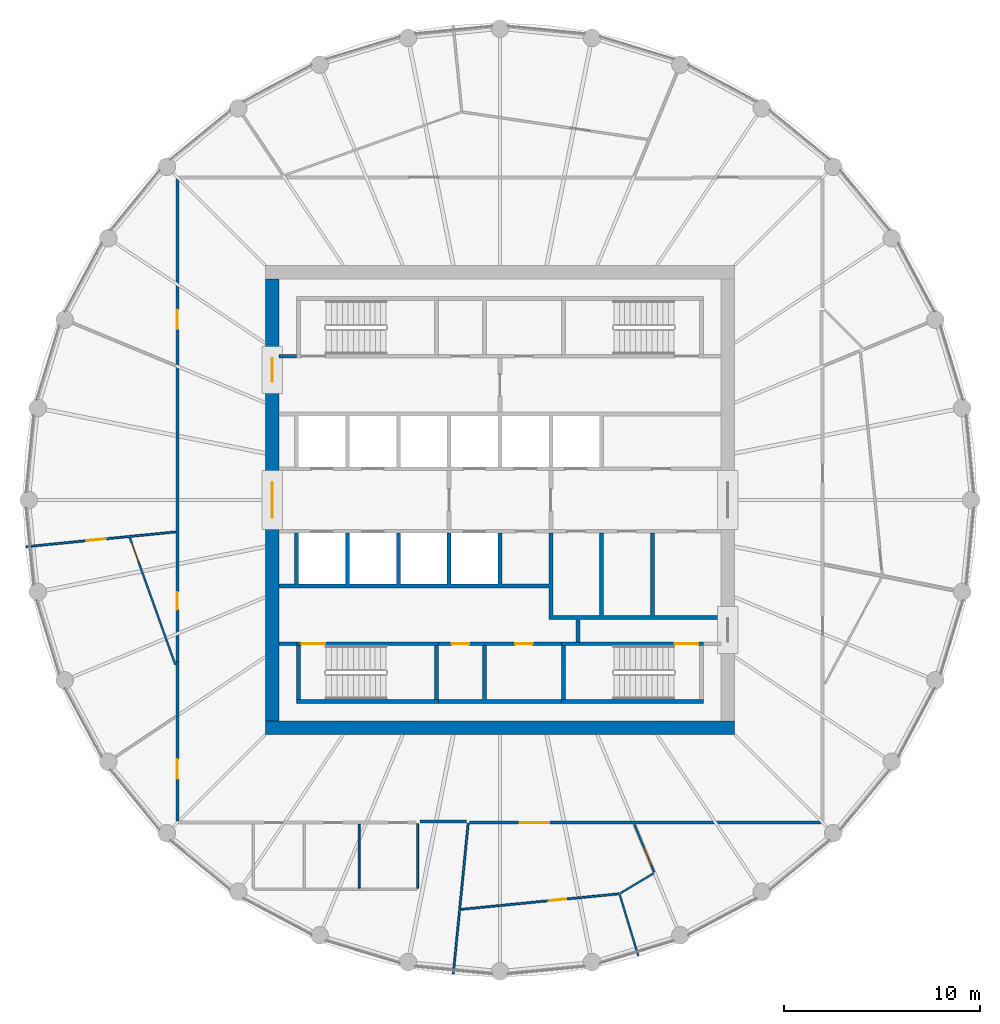
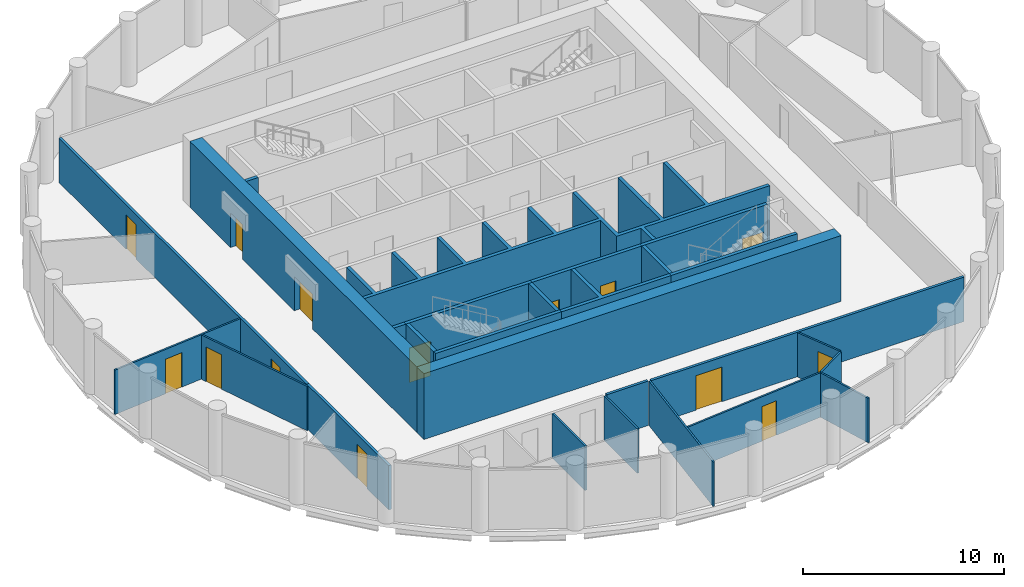
# One storey, part 4 of 8: 27 walls, 14 doors, 14 openings.
"""IFC4 building model written with IfcOpenShell, lengths in metres."""

from ifc_helpers import new_model, si_unit, direction, frame, frame_2d, origin, place, context, subcontext, project, spatial, polyline, rectangle, outline, extrude, material, layer, layer_set, type_object, element, fill, save


model = new_model("IFC4")

# Units and contexts
model_context = context("Model", 3, precision=1e-05, world=origin(), true_north=direction((0.0, 1.0)))
body_context = subcontext(model_context, "Body", "Model", "MODEL_VIEW")
ifc_project = project(units=[si_unit("LENGTHUNIT", "METRE"), si_unit("AREAUNIT", "SQUARE_METRE"), si_unit("VOLUMEUNIT", "CUBIC_METRE"), si_unit("PLANEANGLEUNIT", "RADIAN"), si_unit("MASSUNIT", "GRAM", prefix="KILO")], contexts=[model_context])

# Site, building, storey
site_placement = place(None, origin())
site = spatial("IfcSite", under=ifc_project, at=site_placement, CompositionType="ELEMENT")
building_placement = place(site_placement, origin())
building = spatial("IfcBuilding", under=site, at=building_placement, Name="Corvane Civic Tower", CompositionType="ELEMENT")
storey_placement = place(building_placement, frame((0.0, 0.0, 299.0)))
storey = spatial("IfcBuildingStorey", under=building, at=storey_placement, Name="L71", CompositionType="ELEMENT", Elevation=299.0)

# Wall
ifc_material_1 = material(Name="Concrete C40/50", Category="concrete")
ifc_layer_1 = layer(ifc_material_1, 0.699951171875)
ifc_layer_set_1 = layer_set([ifc_layer_1], Name="Concrete C40/50")
wall_type_1 = type_object("IfcWallType", Name="CORE WALL 700 C40/50", PredefinedType="SHEAR", material=ifc_layer_set_1)
wall_1_placement = place(storey_placement, frame((-12.0, -11.64990234375, 0.0), z_axis=(0.0, 0.0, 1.0), x_axis=(1.0, 0.0, 0.0)))
element("IfcWall", 1, at=wall_1_placement, inside=storey, type_object=wall_type_1, Name="W-L71-core-S", PredefinedType="SHEAR", context=body_context, shape_type="SweptSolid", body=[
    extrude(rectangle(XDim=24.0, YDim=0.699951171875, at=frame_2d((12.0, 0.0))), origin(), (0.0, 0.0, 1.0), 4.0),
])

# Wall, openings, doors
wall_2_placement = place(storey_placement, frame((-11.64990234375, -11.300048828125, 0.0), z_axis=(0.0, 0.0, 1.0), x_axis=(0.0, 1.0, 0.0)))
wall_2 = element("IfcWall", 2, at=wall_2_placement, inside=storey, type_object=wall_type_1, Name="W-L71-core-W", PredefinedType="SHEAR", context=body_context, shape_type="SweptSolid", body=[
    extrude(rectangle(XDim=22.60009765625, YDim=0.699951171875, at=frame_2d((11.300048828125, 0.0))), origin(), (0.0, 0.0, 1.0), 4.0),
])
opening_1_placement = place(wall_2_placement, frame((10.39990234375, 0.0, 0.0)))
opening_1 = element("IfcOpeningElement", 3, at=opening_1_placement, cuts=wall_2, Name="Opening L71.C17", PredefinedType="OPENING", context=body_context, shape_type="SweptSolid", body=[
    extrude(rectangle(XDim=1.800048828125, YDim=2.10009765625, at=frame_2d((0.89990234375, 1.050048828125))), frame((0.0, 0.35986328125, 0.0), z_axis=(0.0, -1.0, 0.0), x_axis=(1.0, 0.0, 0.0)), (0.0, 0.0, 1.0), 0.719970703125),
])
opening_2_placement = place(wall_2_placement, frame((17.35009765625, 0.0, 0.0)))
opening_2 = element("IfcOpeningElement", 4, at=opening_2_placement, cuts=wall_2, Name="Opening L71.C19", PredefinedType="OPENING", context=body_context, shape_type="SweptSolid", body=[
    extrude(rectangle(XDim=1.199951171875, YDim=2.10009765625, at=frame_2d((0.60009765625, 1.050048828125))), frame((0.0, 0.35986328125, 0.0), z_axis=(0.0, -1.0, 0.0), x_axis=(1.0, 0.0, 0.0)), (0.0, 0.0, 1.0), 0.719970703125),
])
ifc_material_2 = material(Name="Steel fire door leaf", Category="steel")
door_type_1 = type_object("IfcDoorType", Name="CR-DOOR-CORE-1800", OperationType="DOUBLE_DOOR_SINGLE_SWING", PredefinedType="DOOR", material=ifc_material_2)
door_1_placement = place(opening_1_placement, origin())
door_1 = element("IfcDoor", 5, at=door_1_placement, inside=storey, type_object=door_type_1, Name="L71 door", OperationType="DOUBLE_DOOR_SINGLE_SWING", OverallHeight=2.10009765625, OverallWidth=1.800048828125, PredefinedType="DOOR", context=body_context, shape_type="SweptSolid", body=[
    extrude(rectangle(XDim=1.800048828125, YDim=2.10009765625, at=frame_2d((0.89990234375, 1.050048828125))), frame((0.0, 0.02490234375, 0.0), z_axis=(0.0, -1.0, 0.0), x_axis=(1.0, 0.0, 0.0)), (0.0, 0.0, 1.0), 0.050048828125),
])
fill(opening_1, door_1)
door_2_placement = place(opening_2_placement, origin())
door_2 = element("IfcDoor", 6, at=door_2_placement, inside=storey, type_object=door_type_1, Name="L71 door", OperationType="DOUBLE_DOOR_SINGLE_SWING", OverallHeight=2.10009765625, OverallWidth=1.199951171875, PredefinedType="DOOR", context=body_context, shape_type="SweptSolid", body=[
    extrude(rectangle(XDim=1.199951171875, YDim=2.10009765625, at=frame_2d((0.60009765625, 1.050048828125))), frame((0.0, 0.02490234375, 0.0), z_axis=(0.0, -1.0, 0.0), x_axis=(1.0, 0.0, 0.0)), (0.0, 0.0, 1.0), 0.050048828125),
])
fill(opening_2, door_2)

ifc_material_3 = material(Name="Concrete C30/37", Category="concrete")
ifc_layer_2 = layer(ifc_material_3, 0.199951171875)
ifc_layer_set_2 = layer_set([ifc_layer_2], Name="Concrete C30/37")
wall_type_2 = type_object("IfcWallType", Name="CR-WALL-200", PredefinedType="PARTITIONING", material=ifc_layer_set_2)
wall_3_placement = place(storey_placement, frame((-3.14990234375, -7.35009765625, 0.0), z_axis=(0.0, 0.0, 1.0), x_axis=(1.0, 0.0, 0.0)))
wall_3 = element("IfcWall", 7, at=wall_3_placement, inside=storey, type_object=wall_type_2, Name="L71 core partition wall", PredefinedType="PARTITIONING", context=body_context, shape_type="SweptSolid", body=[
    extrude(rectangle(XDim=6.2998046875, YDim=0.199951171875, at=frame_2d((3.14990234375, 0.0))), origin(), (0.0, 0.0, 1.0), 3.699951171875),
])
opening_3_placement = place(wall_3_placement, frame((0.675048828125, 0.0, 0.0)))
opening_3 = element("IfcOpeningElement", 8, at=opening_3_placement, cuts=wall_3, Name="Opening L71.C08", PredefinedType="OPENING", context=body_context, shape_type="SweptSolid", body=[
    extrude(rectangle(XDim=0.89990234375, YDim=2.10009765625, at=frame_2d((0.449951171875, 1.050048828125))), frame((0.0, 0.10986328125, 0.0), z_axis=(0.0, -1.0, 0.0), x_axis=(1.0, 0.0, 0.0)), (0.0, 0.0, 1.0), 0.219970703125),
])
opening_4_placement = place(wall_3_placement, frame((3.925048828125, 0.0, 0.0)))
opening_4 = element("IfcOpeningElement", 9, at=opening_4_placement, cuts=wall_3, Name="Opening L71.C09", PredefinedType="OPENING", context=body_context, shape_type="SweptSolid", body=[
    extrude(rectangle(XDim=0.89990234375, YDim=2.10009765625, at=frame_2d((0.449951171875, 1.050048828125))), frame((0.0, 0.10986328125, 0.0), z_axis=(0.0, -1.0, 0.0), x_axis=(1.0, 0.0, 0.0)), (0.0, 0.0, 1.0), 0.219970703125),
])
ifc_material_4 = material(Name="Steel fire door leaf", Category="steel")
door_type_2 = type_object("IfcDoorType", Name="CR-DOOR-900", OperationType="SINGLE_SWING_LEFT", PredefinedType="DOOR", material=ifc_material_4)
door_3_placement = place(opening_3_placement, origin())
door_3 = element("IfcDoor", 10, at=door_3_placement, inside=storey, type_object=door_type_2, Name="L71 door", OperationType="SINGLE_SWING_LEFT", OverallHeight=2.10009765625, OverallWidth=0.89990234375, PredefinedType="DOOR", context=body_context, shape_type="SweptSolid", body=[
    extrude(rectangle(XDim=0.89990234375, YDim=2.10009765625, at=frame_2d((0.449951171875, 1.050048828125))), frame((0.0, 0.02490234375, 0.0), z_axis=(0.0, -1.0, 0.0), x_axis=(1.0, 0.0, 0.0)), (0.0, 0.0, 1.0), 0.050048828125),
])
fill(opening_3, door_3)
door_4_placement = place(opening_4_placement, origin())
door_4 = element("IfcDoor", 11, at=door_4_placement, inside=storey, type_object=door_type_2, Name="L71 door", OperationType="SINGLE_SWING_LEFT", OverallHeight=2.10009765625, OverallWidth=0.89990234375, PredefinedType="DOOR", context=body_context, shape_type="SweptSolid", body=[
    extrude(rectangle(XDim=0.89990234375, YDim=2.10009765625, at=frame_2d((0.449951171875, 1.050048828125))), frame((0.0, 0.02490234375, 0.0), z_axis=(0.0, -1.0, 0.0), x_axis=(1.0, 0.0, 0.0)), (0.0, 0.0, 1.0), 0.050048828125),
])
fill(opening_4, door_4)

# Walls
wall_4_placement = place(storey_placement, origin())
element("IfcWall", 12, at=wall_4_placement, inside=storey, type_object=wall_type_2, Name="L71 core partition wall", PredefinedType="PARTITIONING", context=body_context, shape_type="SweptSolid", body=[
    extrude(outline(polyline([(-10.39990234375, -7.449951171875), (-11.300048828125, -7.449951171875), (-11.300048828125, -7.25), (-10.39990234375, -7.25), (-10.39990234375, -7.449951171875)])), origin(), (0.0, 0.0, 1.0), 3.699951171875),
])
wall_5_placement = place(storey_placement, origin())
element("IfcWall", 13, at=wall_5_placement, inside=storey, type_object=wall_type_2, Name="L71 core partition wall", PredefinedType="PARTITIONING", context=body_context, shape_type="SweptSolid", body=[
    extrude(outline(polyline([(-10.39990234375, 7.25), (-11.300048828125, 7.25), (-11.300048828125, 7.449951171875), (-10.39990234375, 7.449951171875), (-10.39990234375, 7.25)])), origin(), (0.0, 0.0, 1.0), 3.699951171875),
])
wall_6_placement = place(storey_placement, origin())
element("IfcWall", 14, at=wall_6_placement, inside=storey, type_object=wall_type_2, Name="L71 core partition wall", PredefinedType="PARTITIONING", context=body_context, shape_type="SweptSolid", body=[
    extrude(outline(polyline([(-0.699951171875, -7.449951171875), (-0.699951171875, -10.199951171875), (3.14990234375, -10.199951171875), (3.14990234375, -10.39990234375), (-3.14990234375, -10.39990234375), (-3.14990234375, -10.199951171875), (-0.89990234375, -10.199951171875), (-0.89990234375, -7.449951171875), (-0.699951171875, -7.449951171875)])), origin(), (0.0, 0.0, 1.0), 3.699951171875),
])
wall_7_placement = place(storey_placement, origin())
element("IfcWall", 15, at=wall_7_placement, inside=storey, type_object=wall_type_2, Name="L71 core partition wall", PredefinedType="PARTITIONING", context=body_context, shape_type="SweptSolid", body=[
    extrude(outline(polyline([(-10.5, -1.699951171875), (-10.300048828125, -1.699951171875), (-10.300048828125, -4.300048828125), (-7.89990234375, -4.300048828125), (-7.89990234375, -1.699951171875), (-7.699951171875, -1.699951171875), (-7.699951171875, -4.300048828125), (-5.300048828125, -4.300048828125), (-5.300048828125, -1.699951171875), (-5.10009765625, -1.699951171875), (-5.10009765625, -4.300048828125), (-2.699951171875, -4.300048828125), (-2.699951171875, -1.699951171875), (-2.5, -1.699951171875), (-2.5, -4.300048828125), (-0.10009765625, -4.300048828125), (-0.10009765625, -1.699951171875), (0.10009765625, -1.699951171875), (0.10009765625, -4.300048828125), (2.5, -4.300048828125), (2.5, -1.699951171875), (2.699951171875, -1.699951171875), (2.699951171875, -5.89990234375), (5.10009765625, -5.89990234375), (5.10009765625, -1.699951171875), (5.300048828125, -1.699951171875), (5.300048828125, -5.89990234375), (7.699951171875, -5.89990234375), (7.699951171875, -1.699951171875), (7.89990234375, -1.699951171875), (7.89990234375, -5.89990234375), (11.300048828125, -5.89990234375), (11.300048828125, -6.10009765625), (4.10009765625, -6.10009765625), (4.10009765625, -7.25), (3.89990234375, -7.25), (3.89990234375, -6.10009765625), (2.5, -6.10009765625), (2.5, -4.5), (-11.300048828125, -4.5), (-11.300048828125, -4.300048828125), (-10.5, -4.300048828125), (-10.5, -1.699951171875)])), origin(), (0.0, 0.0, 1.0), 3.699951171875),
])
ifc_material_5 = material(Name="Plasterboard")
ifc_layer_3 = layer(ifc_material_5, 0.10009765625)
ifc_layer_set_3 = layer_set([ifc_layer_3], Name="Plasterboard")
wall_type_3 = type_object("IfcWallType", Name="Partition 100 plasterboard on studs", PredefinedType="PARTITIONING", material=ifc_layer_set_3)
wall_8_placement = place(storey_placement, frame((-2.38671875, -24.23291015625, 0.0), z_axis=(0.0, 0.0, 1.0), x_axis=(0.098032968747, 0.995183167582, 0.0)))
element("IfcWall", 16, at=wall_8_placement, inside=storey, type_object=wall_type_3, Name="Partition L71.001", PredefinedType="PARTITIONING", context=body_context, shape_type="SweptSolid", body=[
    extrude(rectangle(XDim=7.72509765625, YDim=0.10009765625, at=frame_2d((3.862548828125, 0.0))), origin(), (0.0, 0.0, 1.0), 2.699951171875),
])
wall_9_placement = place(storey_placement, frame((6.121337890625, -20.17919921875, 0.0), z_axis=(0.0, 0.0, 1.0), x_axis=(0.290298100349, -0.956936263778, 0.0)))
element("IfcWall", 17, at=wall_9_placement, inside=storey, type_object=wall_type_3, Name="Partition L71.002", PredefinedType="PARTITIONING", context=body_context, shape_type="SweptSolid", body=[
    extrude(rectangle(XDim=3.26318359375, YDim=0.10009765625, at=frame_2d((1.631591796875, 0.0))), origin(), (0.0, 0.0, 1.0), 2.699951171875),
])

# Wall, opening, door
wall_10_placement = place(storey_placement, frame((-2.002197265625, -20.93896484375, 0.0), z_axis=(0.0, 0.0, 1.0), x_axis=(0.995184517626, 0.098019262792, 0.0)))
wall_10 = element("IfcWall", 18, at=wall_10_placement, inside=storey, type_object=wall_type_3, Name="Partition L71.003", PredefinedType="PARTITIONING", context=body_context, shape_type="SweptSolid", body=[
    extrude(rectangle(XDim=8.10986328125, YDim=0.10009765625, at=frame_2d((4.054931640625, 0.0))), origin(), (0.0, 0.0, 1.0), 2.699951171875),
])
opening_5_placement = place(wall_10_placement, frame((4.521240234375, 0.0, 0.0)))
opening_5 = element("IfcOpeningElement", 19, at=opening_5_placement, cuts=wall_10, Name="Opening L71.007", PredefinedType="OPENING", context=body_context, shape_type="SweptSolid", body=[
    extrude(rectangle(XDim=0.89990234375, YDim=2.10009765625, at=frame_2d((0.449951171875, 1.050048828125))), frame((0.0, 0.06005859375, 0.0), z_axis=(0.0, -1.0, 0.0), x_axis=(1.0, 0.0, 0.0)), (0.0, 0.0, 1.0), 0.1201171875),
])
ifc_material_6 = material(Name="Timber", Category="wood")
door_type_3 = type_object("IfcDoorType", Name="Single door 900", OperationType="NOTDEFINED", PredefinedType="DOOR", material=ifc_material_6)
door_5_placement = place(opening_5_placement, frame((0.89990234375, 0.0, 0.0), z_axis=(0.0, 0.0, 1.0), x_axis=(-1.0, 0.0, 0.0)))
door_5 = element("IfcDoor", 20, at=door_5_placement, inside=storey, type_object=door_type_3, Name="Door L71.007", OperationType="SINGLE_SWING_LEFT", OverallHeight=2.10009765625, OverallWidth=0.89990234375, PredefinedType="DOOR", context=body_context, shape_type="SweptSolid", body=[
    extrude(rectangle(XDim=0.89990234375, YDim=2.10009765625, at=frame_2d((0.449951171875, 1.050048828125))), frame((0.0, 0.02490234375, 0.0), z_axis=(0.0, -1.0, 0.0), x_axis=(1.0, 0.0, 0.0)), (0.0, 0.0, 1.0), 0.050048828125),
])
fill(opening_5, door_5)

# Walls
wall_11_placement = place(storey_placement, frame((6.142822265625, -20.119873046875, 0.0), z_axis=(0.0, 0.0, 1.0), x_axis=(0.857750904453, 0.514065546317, 0.0)))
element("IfcWall", 21, at=wall_11_placement, inside=storey, type_object=wall_type_3, Name="Partition L71.004", PredefinedType="PARTITIONING", context=body_context, shape_type="SweptSolid", body=[
    extrude(rectangle(XDim=2.003173828125, YDim=0.10009765625, at=frame_2d((1.00146484375, 0.0))), origin(), (0.0, 0.0, 1.0), 2.699951171875),
])
wall_12_placement = place(storey_placement, frame((-7.208251953125, -19.85009765625, 0.0), z_axis=(0.0, 0.0, 1.0), x_axis=(0.0, 1.0, 0.0)))
element("IfcWall", 22, at=wall_12_placement, inside=storey, type_object=wall_type_3, Name="Partition L71.008", PredefinedType="PARTITIONING", context=body_context, shape_type="SweptSolid", body=[
    extrude(rectangle(XDim=3.275146484375, YDim=0.10009765625, at=frame_2d((1.6376953125, 0.0))), origin(), (0.0, 0.0, 1.0), 2.699951171875),
])
wall_13_placement = place(storey_placement, frame((-4.208251953125, -19.85009765625, 0.0), z_axis=(0.0, 0.0, 1.0), x_axis=(0.0, 1.0, 0.0)))
element("IfcWall", 23, at=wall_13_placement, inside=storey, type_object=wall_type_3, Name="Partition L71.009", PredefinedType="PARTITIONING", context=body_context, shape_type="SweptSolid", body=[
    extrude(rectangle(XDim=3.300048828125, YDim=0.10009765625, at=frame_2d((1.64990234375, 0.0))), origin(), (0.0, 0.0, 1.0), 2.699951171875),
])

# Wall, opening, door
wall_14_placement = place(storey_placement, frame((6.87353515625, -16.593994140625, 0.0), z_axis=(0.0, 0.0, 1.0), x_axis=(0.382627334503, -0.923902767011, 0.0)))
wall_14 = element("IfcWall", 24, at=wall_14_placement, inside=storey, type_object=wall_type_3, Name="Partition L71.010", PredefinedType="PARTITIONING", context=body_context, shape_type="SweptSolid", body=[
    extrude(rectangle(XDim=2.634521484375, YDim=0.10009765625, at=frame_2d((1.3173828125, 0.0))), origin(), (0.0, 0.0, 1.0), 2.699951171875),
])
opening_6_placement = place(wall_14_placement, frame((1.270263671875, 0.0, 0.0)))
opening_6 = element("IfcOpeningElement", 25, at=opening_6_placement, cuts=wall_14, Name="Opening L71.006", PredefinedType="OPENING", context=body_context, shape_type="SweptSolid", body=[
    extrude(rectangle(XDim=1.0, YDim=2.10009765625, at=frame_2d((0.5, 1.050048828125))), frame((0.0, 0.06005859375, 0.0), z_axis=(0.0, -1.0, 0.0), x_axis=(1.0, 0.0, 0.0)), (0.0, 0.0, 1.0), 0.1201171875),
])
ifc_material_7 = material(Name="Timber", Category="wood")
door_type_4 = type_object("IfcDoorType", Name="Single door 1000", OperationType="NOTDEFINED", PredefinedType="DOOR", material=ifc_material_7)
door_6_placement = place(opening_6_placement, origin())
door_6 = element("IfcDoor", 26, at=door_6_placement, inside=storey, type_object=door_type_4, Name="Door L71.006", OperationType="SINGLE_SWING_RIGHT", OverallHeight=2.10009765625, OverallWidth=1.0, PredefinedType="DOOR", context=body_context, shape_type="SweptSolid", body=[
    extrude(rectangle(XDim=1.0, YDim=2.10009765625, at=frame_2d((0.5, 1.050048828125))), frame((0.0, 0.02490234375, 0.0), z_axis=(0.0, -1.0, 0.0), x_axis=(1.0, 0.0, 0.0)), (0.0, 0.0, 1.0), 0.050048828125),
])
fill(opening_6, door_6)

wall_15_placement = place(storey_placement, frame((-18.930419921875, -1.927001953125, 0.0), z_axis=(0.0, 0.0, 1.0), x_axis=(0.336876354369, -0.941548895102, 0.0)))
wall_15 = element("IfcWall", 27, at=wall_15_placement, inside=storey, type_object=wall_type_3, Name="Partition L71.018", PredefinedType="PARTITIONING", context=body_context, shape_type="SweptSolid", body=[
    extrude(rectangle(XDim=6.90234375, YDim=0.10009765625, at=frame_2d((3.451171875, 0.0))), origin(), (0.0, 0.0, 1.0), 2.699951171875),
])
opening_7_placement = place(wall_15_placement, frame((0.3037109375, 0.0, 0.0)))
opening_7 = element("IfcOpeningElement", 28, at=opening_7_placement, cuts=wall_15, Name="Opening L71.013", PredefinedType="OPENING", context=body_context, shape_type="SweptSolid", body=[
    extrude(rectangle(XDim=1.0, YDim=2.10009765625, at=frame_2d((0.5, 1.050048828125))), frame((0.0, 0.06005859375, 0.0), z_axis=(0.0, -1.0, 0.0), x_axis=(1.0, 0.0, 0.0)), (0.0, 0.0, 1.0), 0.1201171875),
])
door_7_placement = place(opening_7_placement, frame((1.0, 0.0, 0.0), z_axis=(0.0, 0.0, 1.0), x_axis=(-1.0, 0.0, 0.0)))
door_7 = element("IfcDoor", 29, at=door_7_placement, inside=storey, type_object=door_type_4, Name="Door L71.013", OperationType="SINGLE_SWING_LEFT", OverallHeight=2.10009765625, OverallWidth=1.0, PredefinedType="DOOR", context=body_context, shape_type="SweptSolid", body=[
    extrude(rectangle(XDim=1.0, YDim=2.10009765625, at=frame_2d((0.5, 1.050048828125))), frame((0.0, 0.02490234375, 0.0), z_axis=(0.0, -1.0, 0.0), x_axis=(1.0, 0.0, 0.0)), (0.0, 0.0, 1.0), 0.050048828125),
])
fill(opening_7, door_7)

wall_16_placement = place(storey_placement, frame((-24.23291015625, -2.38671875, 0.0), z_axis=(0.0, 0.0, 1.0), x_axis=(0.995185996344, 0.098004248276, 0.0)))
wall_16 = element("IfcWall", 30, at=wall_16_placement, inside=storey, type_object=wall_type_3, Name="Partition L71.022", PredefinedType="PARTITIONING", context=body_context, shape_type="SweptSolid", body=[
    extrude(rectangle(XDim=7.690185546875, YDim=0.10009765625, at=frame_2d((3.84521484375, 0.0))), origin(), (0.0, 0.0, 1.0), 2.699951171875),
])
opening_8_placement = place(wall_16_placement, frame((3.098388671875, 0.0, 0.0)))
opening_8 = element("IfcOpeningElement", 31, at=opening_8_placement, cuts=wall_16, Name="Opening L71.014", PredefinedType="OPENING", context=body_context, shape_type="SweptSolid", body=[
    extrude(rectangle(XDim=1.0, YDim=2.10009765625, at=frame_2d((0.5, 1.050048828125))), frame((0.0, 0.06005859375, 0.0), z_axis=(0.0, -1.0, 0.0), x_axis=(1.0, 0.0, 0.0)), (0.0, 0.0, 1.0), 0.1201171875),
])
door_8_placement = place(opening_8_placement, origin())
door_8 = element("IfcDoor", 32, at=door_8_placement, inside=storey, type_object=door_type_4, Name="Door L71.014", OperationType="SINGLE_SWING_LEFT", OverallHeight=2.10009765625, OverallWidth=1.0, PredefinedType="DOOR", context=body_context, shape_type="SweptSolid", body=[
    extrude(rectangle(XDim=1.0, YDim=2.10009765625, at=frame_2d((0.5, 1.050048828125))), frame((0.0, 0.02490234375, 0.0), z_axis=(0.0, -1.0, 0.0), x_axis=(1.0, 0.0, 0.0)), (0.0, 0.0, 1.0), 0.050048828125),
])
fill(opening_8, door_8)

ifc_material_8 = material(Name="Concrete C50/60", Category="concrete")
ifc_layer_4 = layer(ifc_material_8, 0.199951171875)
ifc_layer_set_4 = layer_set([ifc_layer_4], Name="Concrete C50/60")
wall_type_4 = type_object("IfcWallType", Name="ST-WALL-200", PredefinedType="SHEAR", material=ifc_layer_set_4)
wall_17_placement = place(storey_placement, frame((-10.39990234375, -7.35009765625, 0.0), z_axis=(0.0, 0.0, 1.0), x_axis=(1.0, 0.0, 0.0)))
wall_17 = element("IfcWall", 33, at=wall_17_placement, inside=storey, type_object=wall_type_4, Name="L71 stair enclosure wall", PredefinedType="SHEAR", context=body_context, shape_type="SweptSolid", body=[
    extrude(rectangle(XDim=7.25, YDim=0.199951171875, at=frame_2d((3.625, 0.0))), origin(), (0.0, 0.0, 1.0), 3.699951171875),
])
opening_9_placement = place(wall_17_placement, frame((0.25, 0.0, 0.0)))
opening_9 = element("IfcOpeningElement", 34, at=opening_9_placement, cuts=wall_17, Name="Opening L71.C13", PredefinedType="OPENING", context=body_context, shape_type="SweptSolid", body=[
    extrude(rectangle(XDim=1.199951171875, YDim=2.10009765625, at=frame_2d((0.60009765625, 1.050048828125))), frame((0.0, 0.10986328125, 0.0), z_axis=(0.0, -1.0, 0.0), x_axis=(1.0, 0.0, 0.0)), (0.0, 0.0, 1.0), 0.219970703125),
])
ifc_material_9 = material(Name="Steel fire door leaf", Category="steel")
door_type_5 = type_object("IfcDoorType", Name="ST-DOOR-1200", OperationType="SINGLE_SWING_RIGHT", PredefinedType="DOOR", material=ifc_material_9)
door_9_placement = place(opening_9_placement, origin())
door_9 = element("IfcDoor", 35, at=door_9_placement, inside=storey, type_object=door_type_5, Name="L71 stair door", OperationType="SINGLE_SWING_RIGHT", OverallHeight=2.10009765625, OverallWidth=1.199951171875, PredefinedType="DOOR", context=body_context, shape_type="SweptSolid", body=[
    extrude(rectangle(XDim=1.199951171875, YDim=2.10009765625, at=frame_2d((0.60009765625, 1.050048828125))), frame((0.0, 0.02490234375, 0.0), z_axis=(0.0, -1.0, 0.0), x_axis=(1.0, 0.0, 0.0)), (0.0, 0.0, 1.0), 0.050048828125),
])
fill(opening_9, door_9)

wall_18_placement = place(storey_placement, frame((3.14990234375, -7.35009765625, 0.0), z_axis=(0.0, 0.0, 1.0), x_axis=(1.0, 0.0, 0.0)))
wall_18 = element("IfcWall", 36, at=wall_18_placement, inside=storey, type_object=wall_type_4, Name="L71 stair enclosure wall", PredefinedType="SHEAR", context=body_context, shape_type="SweptSolid", body=[
    extrude(rectangle(XDim=7.25, YDim=0.199951171875, at=frame_2d((3.625, 0.0))), origin(), (0.0, 0.0, 1.0), 3.699951171875),
])
opening_10_placement = place(wall_18_placement, frame((5.800048828125, 0.0, 0.0)))
opening_10 = element("IfcOpeningElement", 37, at=opening_10_placement, cuts=wall_18, Name="Opening L71.C12", PredefinedType="OPENING", context=body_context, shape_type="SweptSolid", body=[
    extrude(rectangle(XDim=1.199951171875, YDim=2.10009765625, at=frame_2d((0.60009765625, 1.050048828125))), frame((0.0, 0.10986328125, 0.0), z_axis=(0.0, -1.0, 0.0), x_axis=(1.0, 0.0, 0.0)), (0.0, 0.0, 1.0), 0.219970703125),
])
door_10_placement = place(opening_10_placement, origin())
door_10 = element("IfcDoor", 38, at=door_10_placement, inside=storey, type_object=door_type_5, Name="L71 stair door", OperationType="SINGLE_SWING_RIGHT", OverallHeight=2.10009765625, OverallWidth=1.199951171875, PredefinedType="DOOR", context=body_context, shape_type="SweptSolid", body=[
    extrude(rectangle(XDim=1.199951171875, YDim=2.10009765625, at=frame_2d((0.60009765625, 1.050048828125))), frame((0.0, 0.02490234375, 0.0), z_axis=(0.0, -1.0, 0.0), x_axis=(1.0, 0.0, 0.0)), (0.0, 0.0, 1.0), 0.050048828125),
])
fill(opening_10, door_10)

# Walls
wall_19_placement = place(storey_placement, origin())
element("IfcWall", 39, at=wall_19_placement, inside=storey, type_object=wall_type_4, Name="L71 stair enclosure wall", PredefinedType="SHEAR", context=body_context, shape_type="SweptSolid", body=[
    extrude(outline(polyline([(-3.14990234375, -10.199951171875), (-3.14990234375, -10.39990234375), (-10.39990234375, -10.39990234375), (-10.39990234375, -10.199951171875), (-3.14990234375, -10.199951171875)])), origin(), (0.0, 0.0, 1.0), 3.699951171875),
])
wall_20_placement = place(storey_placement, origin())
element("IfcWall", 40, at=wall_20_placement, inside=storey, type_object=wall_type_4, Name="L71 stair enclosure wall", PredefinedType="SHEAR", context=body_context, shape_type="SweptSolid", body=[
    extrude(outline(polyline([(10.39990234375, -10.39990234375), (3.14990234375, -10.39990234375), (3.14990234375, -10.199951171875), (10.39990234375, -10.199951171875), (10.39990234375, -10.39990234375)])), origin(), (0.0, 0.0, 1.0), 3.699951171875),
])
wall_21_placement = place(storey_placement, origin())
element("IfcWall", 41, at=wall_21_placement, inside=storey, type_object=wall_type_4, Name="L71 stair enclosure wall", PredefinedType="SHEAR", context=body_context, shape_type="SweptSolid", body=[
    extrude(outline(polyline([(-3.14990234375, -7.449951171875), (-3.14990234375, -10.199951171875), (-3.35009765625, -10.199951171875), (-3.35009765625, -7.449951171875), (-3.14990234375, -7.449951171875)])), origin(), (0.0, 0.0, 1.0), 3.699951171875),
])
wall_22_placement = place(storey_placement, origin())
element("IfcWall", 42, at=wall_22_placement, inside=storey, type_object=wall_type_4, Name="L71 stair enclosure wall", PredefinedType="SHEAR", context=body_context, shape_type="SweptSolid", body=[
    extrude(outline(polyline([(3.35009765625, -7.449951171875), (3.35009765625, -10.199951171875), (3.14990234375, -10.199951171875), (3.14990234375, -7.449951171875), (3.35009765625, -7.449951171875)])), origin(), (0.0, 0.0, 1.0), 3.699951171875),
])
wall_23_placement = place(storey_placement, origin())
element("IfcWall", 43, at=wall_23_placement, inside=storey, type_object=wall_type_4, Name="L71 stair enclosure wall", PredefinedType="SHEAR", context=body_context, shape_type="SweptSolid", body=[
    extrude(outline(polyline([(-10.199951171875, -7.449951171875), (-10.199951171875, -10.199951171875), (-10.39990234375, -10.199951171875), (-10.39990234375, -7.449951171875), (-10.199951171875, -7.449951171875)])), origin(), (0.0, 0.0, 1.0), 3.699951171875),
])

# Wall, opening, door
ifc_material_10 = material(Name="Plasterboard")
ifc_layer_5 = layer(ifc_material_10, 0.14990234375)
ifc_layer_set_5 = layer_set([ifc_layer_5], Name="Plasterboard")
wall_type_5 = type_object("IfcWallType", Name="Tenancy wall 150 EI 60", PredefinedType="PARTITIONING", material=ifc_layer_set_5)
wall_24_placement = place(storey_placement, frame((-1.55712890625, -16.5, 0.0), z_axis=(0.0, 0.0, 1.0), x_axis=(1.0, 0.0, 0.0)))
wall_24 = element("IfcWall", 44, at=wall_24_placement, inside=storey, type_object=wall_type_5, Name="Partition L71.012", PredefinedType="PARTITIONING", context=body_context, shape_type="SweptSolid", body=[
    extrude(rectangle(XDim=17.982177734375, YDim=0.14990234375, at=frame_2d((8.9912109375, 0.0))), origin(), (0.0, 0.0, 1.0), 2.699951171875),
])
opening_11_placement = place(wall_24_placement, frame((2.563720703125, 0.0, 0.0)))
opening_11 = element("IfcOpeningElement", 45, at=opening_11_placement, cuts=wall_24, Name="Opening L71.008", PredefinedType="OPENING", context=body_context, shape_type="SweptSolid", body=[
    extrude(rectangle(XDim=1.5, YDim=2.10009765625, at=frame_2d((0.75, 1.050048828125))), frame((0.0, 0.0849609375, 0.0), z_axis=(0.0, -1.0, 0.0), x_axis=(1.0, 0.0, 0.0)), (0.0, 0.0, 1.0), 0.169921875),
])
ifc_material_11 = material(Name="Steel and timber", Category="steel")
door_type_6 = type_object("IfcDoorType", Name="Fire door FD60 double 1500", OperationType="NOTDEFINED", PredefinedType="DOOR", material=ifc_material_11)
door_11_placement = place(opening_11_placement, frame((1.5, 0.0, 0.0), z_axis=(0.0, 0.0, 1.0), x_axis=(-1.0, 0.0, 0.0)))
door_11 = element("IfcDoor", 46, at=door_11_placement, inside=storey, type_object=door_type_6, Name="Door L71.008", OperationType="DOUBLE_DOOR_SINGLE_SWING", OverallHeight=2.10009765625, OverallWidth=1.5, PredefinedType="DOOR", context=body_context, shape_type="SweptSolid", body=[
    extrude(rectangle(XDim=1.5, YDim=2.10009765625, at=frame_2d((0.75, 1.050048828125))), frame((0.0, 0.02490234375, 0.0), z_axis=(0.0, -1.0, 0.0), x_axis=(1.0, 0.0, 0.0)), (0.0, 0.0, 1.0), 0.050048828125),
])
fill(opening_11, door_11)

# Wall
wall_25_placement = place(storey_placement, frame((-4.08349609375, -16.449951171875, 0.0), z_axis=(0.0, 0.0, 1.0), x_axis=(1.0, 0.0, 0.0)))
element("IfcWall", 47, at=wall_25_placement, inside=storey, type_object=wall_type_5, Name="Partition L71.013", PredefinedType="PARTITIONING", context=body_context, shape_type="SweptSolid", body=[
    extrude(rectangle(XDim=2.380615234375, YDim=0.14990234375, at=frame_2d((1.1904296875, 0.0))), origin(), (0.0, 0.0, 1.0), 2.699951171875),
])

# Wall, opening, door
wall_26_placement = place(storey_placement, frame((-16.5, -16.425048828125, 0.0), z_axis=(0.0, 0.0, 1.0), x_axis=(0.0, 1.0, 0.0)))
wall_26 = element("IfcWall", 48, at=wall_26_placement, inside=storey, type_object=wall_type_5, Name="Partition L71.014", PredefinedType="PARTITIONING", context=body_context, shape_type="SweptSolid", body=[
    extrude(rectangle(XDim=8.171630859375, YDim=0.14990234375, at=frame_2d((4.0859375, 0.0))), origin(), (0.0, 0.0, 1.0), 2.699951171875),
])
opening_12_placement = place(wall_26_placement, frame((2.16748046875, 0.0, 0.0)))
opening_12 = element("IfcOpeningElement", 49, at=opening_12_placement, cuts=wall_26, Name="Opening L71.009", PredefinedType="OPENING", context=body_context, shape_type="SweptSolid", body=[
    extrude(rectangle(XDim=1.0, YDim=2.10009765625, at=frame_2d((0.5, 1.050048828125))), frame((0.0, 0.0849609375, 0.0), z_axis=(0.0, -1.0, 0.0), x_axis=(1.0, 0.0, 0.0)), (0.0, 0.0, 1.0), 0.169921875),
])
ifc_material_12 = material(Name="Steel and timber", Category="steel")
door_type_7 = type_object("IfcDoorType", Name="Fire door FD30S 1000", OperationType="NOTDEFINED", PredefinedType="DOOR", material=ifc_material_12)
door_12_placement = place(opening_12_placement, origin())
door_12 = element("IfcDoor", 50, at=door_12_placement, inside=storey, type_object=door_type_7, Name="Door L71.009", OperationType="SINGLE_SWING_RIGHT", OverallHeight=2.10009765625, OverallWidth=1.0, PredefinedType="DOOR", context=body_context, shape_type="SweptSolid", body=[
    extrude(rectangle(XDim=1.0, YDim=2.10009765625, at=frame_2d((0.5, 1.050048828125))), frame((0.0, 0.02490234375, 0.0), z_axis=(0.0, -1.0, 0.0), x_axis=(1.0, 0.0, 0.0)), (0.0, 0.0, 1.0), 0.050048828125),
])
fill(opening_12, door_12)

# Wall, openings, doors
wall_27_placement = place(storey_placement, frame((-16.5, -8.25341796875, 0.0), z_axis=(0.0, 0.0, 1.0), x_axis=(0.0, 1.0, 0.0)))
wall_27 = element("IfcWall", 51, at=wall_27_placement, inside=storey, type_object=wall_type_5, Name="Partition L71.019", PredefinedType="PARTITIONING", context=body_context, shape_type="SweptSolid", body=[
    extrude(rectangle(XDim=24.678466796875, YDim=0.14990234375, at=frame_2d((12.33935546875, 0.0))), origin(), (0.0, 0.0, 1.0), 2.699951171875),
])
opening_13_placement = place(wall_27_placement, frame((2.64794921875, 0.0, 0.0)))
opening_13 = element("IfcOpeningElement", 52, at=opening_13_placement, cuts=wall_27, Name="Opening L71.015", PredefinedType="OPENING", context=body_context, shape_type="SweptSolid", body=[
    extrude(rectangle(XDim=0.89990234375, YDim=2.10009765625, at=frame_2d((0.449951171875, 1.050048828125))), frame((0.0, 0.0849609375, 0.0), z_axis=(0.0, -1.0, 0.0), x_axis=(1.0, 0.0, 0.0)), (0.0, 0.0, 1.0), 0.169921875),
])
opening_14_placement = place(wall_27_placement, frame((16.98486328125, 0.0, 0.0)))
opening_14 = element("IfcOpeningElement", 53, at=opening_14_placement, cuts=wall_27, Name="Opening L71.016", PredefinedType="OPENING", context=body_context, shape_type="SweptSolid", body=[
    extrude(rectangle(XDim=1.0, YDim=2.10009765625, at=frame_2d((0.5, 1.050048828125))), frame((0.0, 0.0849609375, 0.0), z_axis=(0.0, -1.0, 0.0), x_axis=(1.0, 0.0, 0.0)), (0.0, 0.0, 1.0), 0.169921875),
])
door_13_placement = place(opening_14_placement, origin())
door_13 = element("IfcDoor", 54, at=door_13_placement, inside=storey, type_object=door_type_7, Name="Door L71.016", OperationType="SINGLE_SWING_LEFT", OverallHeight=2.10009765625, OverallWidth=1.0, PredefinedType="DOOR", context=body_context, shape_type="SweptSolid", body=[
    extrude(rectangle(XDim=1.0, YDim=2.10009765625, at=frame_2d((0.5, 1.050048828125))), frame((0.0, 0.02490234375, 0.0), z_axis=(0.0, -1.0, 0.0), x_axis=(1.0, 0.0, 0.0)), (0.0, 0.0, 1.0), 0.050048828125),
])
fill(opening_14, door_13)
ifc_material_13 = material(Name="Steel and timber", Category="steel")
door_type_8 = type_object("IfcDoorType", Name="Fire door FD30S 900", OperationType="NOTDEFINED", PredefinedType="DOOR", material=ifc_material_13)
door_14_placement = place(opening_13_placement, origin())
door_14 = element("IfcDoor", 55, at=door_14_placement, inside=storey, type_object=door_type_8, Name="Door L71.015", OperationType="SINGLE_SWING_RIGHT", OverallHeight=2.10009765625, OverallWidth=0.89990234375, PredefinedType="DOOR", context=body_context, shape_type="SweptSolid", body=[
    extrude(rectangle(XDim=0.89990234375, YDim=2.10009765625, at=frame_2d((0.449951171875, 1.050048828125))), frame((0.0, 0.02490234375, 0.0), z_axis=(0.0, -1.0, 0.0), x_axis=(1.0, 0.0, 0.0)), (0.0, 0.0, 1.0), 0.050048828125),
])
fill(opening_13, door_14)

save(model, "model.ifc")
